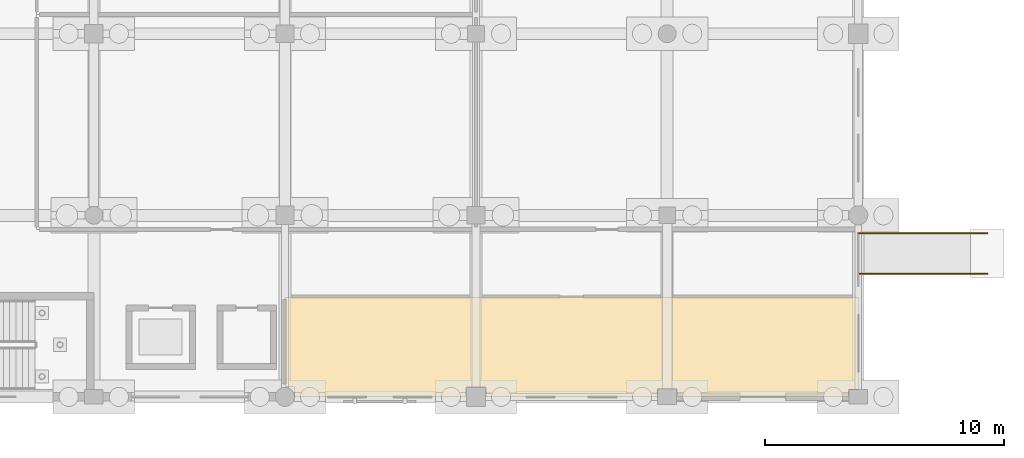
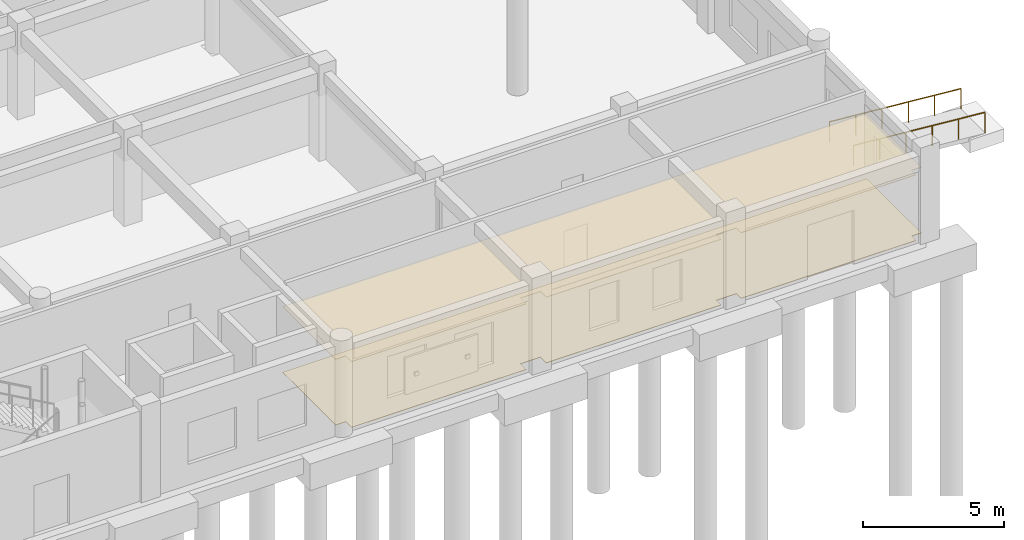
# One storey, part 10 of 11: 2 coverings, 2 railings.
"""IFC4 building model written with IfcOpenShell, lengths in metres."""

from ifc_helpers import new_model, si_unit, direction, frame, origin, origin_2d, place, context, subcontext, project, spatial, polyline, circle, outline, extrude, material, layer, layer_set, type_object, element, save


model = new_model("IFC4")

# Units and contexts
model_context = context("Model", 3, precision=1e-05, world=origin(), true_north=direction((0.0, 1.0)))
body_context = subcontext(model_context, "Body", "Model", "MODEL_VIEW")
ifc_project = project(units=[si_unit("LENGTHUNIT", "METRE"), si_unit("AREAUNIT", "SQUARE_METRE"), si_unit("VOLUMEUNIT", "CUBIC_METRE"), si_unit("PLANEANGLEUNIT", "RADIAN"), si_unit("MASSUNIT", "GRAM", prefix="KILO")], contexts=[model_context])

# Site, building, storey
site_placement = place(None, origin())
site = spatial("IfcSite", under=ifc_project, at=site_placement, CompositionType="ELEMENT")
building_placement = place(site_placement, origin())
building = spatial("IfcBuilding", under=site, at=building_placement, Name="Kharva Crest Polytechnic", CompositionType="ELEMENT")
storey_placement = place(building_placement, frame((0.0, 0.0, -4.199951171875)))
storey = spatial("IfcBuildingStorey", under=building, at=storey_placement, Name="LG", CompositionType="ELEMENT", Elevation=-4.199951171875)

# Coverings
ifc_material_1 = material(Name="Acoustic mineral board")
ifc_layer_1 = layer(ifc_material_1, 0.02490234375, Name="Acoustic mineral board")
ifc_layer_set_1 = layer_set([ifc_layer_1], Name="Acoustic mineral board")
covering_type_1 = type_object("IfcCoveringType", Name="COV-CLG-ACOUSTIC", PredefinedType="CEILING", material=ifc_layer_set_1)
covering_1_placement = place(storey_placement, frame((0.0, 0.0, 2.849853515625)))
element("IfcCovering", 1, at=covering_1_placement, inside=storey, type_object=covering_type_1, Name="LG Refectory Dining Hall Lower Acoustic Ceiling", PredefinedType="CEILING", context=body_context, shape_type="SweptSolid", body=[
    extrude(outline(polyline([(161.2099609375, 0.3349609375), (160.389892578125, 0.3349609375), (160.389892578125, 0.0), (153.2099609375, 0.0), (153.2099609375, 0.409912109375), (152.389892578125, 0.409912109375), (152.389892578125, 0.0), (145.2099609375, 0.0), (145.2099609375, 0.409912109375), (144.800048828125, 0.409912109375), (144.800048828125, 4.18994140625), (168.800048828125, 4.18994140625), (168.800048828125, 0.31005859375), (168.39990234375, 0.31005859375), (168.39990234375, 0.0), (161.2099609375, 0.0), (161.2099609375, 0.3349609375)])), origin(), (0.0, 0.0, 1.0), 0.025146484375),
])
ifc_material_2 = material(Name="Terrazzo tile")
ifc_layer_2 = layer(ifc_material_2, 0.02001953125, Name="Terrazzo tile")
ifc_layer_set_2 = layer_set([ifc_layer_2], Name="Terrazzo tile")
covering_type_2 = type_object("IfcCoveringType", Name="COV-FLR-TERRAZZO", PredefinedType="FLOORING", material=ifc_layer_set_2)
covering_2_placement = place(storey_placement, origin())
element("IfcCovering", 2, at=covering_2_placement, inside=storey, type_object=covering_type_2, Name="LG Refectory Dining Hall Lower Terrazzo Flooring", PredefinedType="FLOORING", context=body_context, shape_type="SweptSolid", body=[
    extrude(outline(polyline([(161.2099609375, 0.3349609375), (160.389892578125, 0.3349609375), (160.389892578125, 0.0), (153.2099609375, 0.0), (153.2099609375, 0.409912109375), (152.389892578125, 0.409912109375), (152.389892578125, 0.0), (145.2099609375, 0.0), (145.2099609375, 0.409912109375), (144.800048828125, 0.409912109375), (144.800048828125, 4.18994140625), (168.800048828125, 4.18994140625), (168.800048828125, 0.31005859375), (168.39990234375, 0.31005859375), (168.39990234375, 0.0), (161.2099609375, 0.0), (161.2099609375, 0.3349609375)])), origin(), (0.0, 0.0, 1.0), 0.02001953125),
])

# Railings
ifc_material_3 = material(Name="Teak timber", Category="wood")
railing_type = type_object("IfcRailingType", Name="RL-STAIR-HAND-900", PredefinedType="HANDRAIL", material=ifc_material_3)
for number, where, name in (
    (3, (174.199951171875, 5.14990234375, -0.449951171875), "Lower Escarpment Refectory Accessible Ramp Handrail L"),
    (4, (174.199951171875, 6.85009765625, -0.449951171875), "Lower Escarpment Refectory Accessible Ramp Handrail R"),
):
    element("IfcRailing", number, at=place(storey_placement, frame(where)), inside=storey, type_object=railing_type, Name=name, PredefinedType="HANDRAIL", context=body_context, shape_type="SweptSolid", body=[
        extrude(circle(Radius=0.02392578125, at=origin_2d()), frame((0.0, 0.0, 0.8759765625), z_axis=(-0.996546379678, 0.0, 0.083038022323), x_axis=(0.0, -1.0, 0.0)), (0.0, 0.0, 1.0), 5.418701171875),
        extrude(circle(Radius=0.02099609375, at=origin_2d()), origin(), (0.0, 0.0, 1.0), 0.851806640625),
        extrude(circle(Radius=0.02099609375, at=origin_2d()), frame((-1.080078125, 0.0, 0.090087890625)), (0.0, 0.0, 1.0), 0.851806640625),
        extrude(circle(Radius=0.02099609375, at=origin_2d()), frame((-2.159912109375, 0.0, 0.179931640625)), (0.0, 0.0, 1.0), 0.851806640625),
        extrude(circle(Radius=0.02099609375, at=origin_2d()), frame((-3.239990234375, 0.0, 0.27001953125)), (0.0, 0.0, 1.0), 0.851806640625),
        extrude(circle(Radius=0.02099609375, at=origin_2d()), frame((-4.31982421875, 0.0, 0.35986328125)), (0.0, 0.0, 1.0), 0.851806640625),
        extrude(circle(Radius=0.02099609375, at=origin_2d()), frame((-5.39990234375, 0.0, 0.449951171875)), (0.0, 0.0, 1.0), 0.851806640625),
    ])

save(model, "model.ifc")
